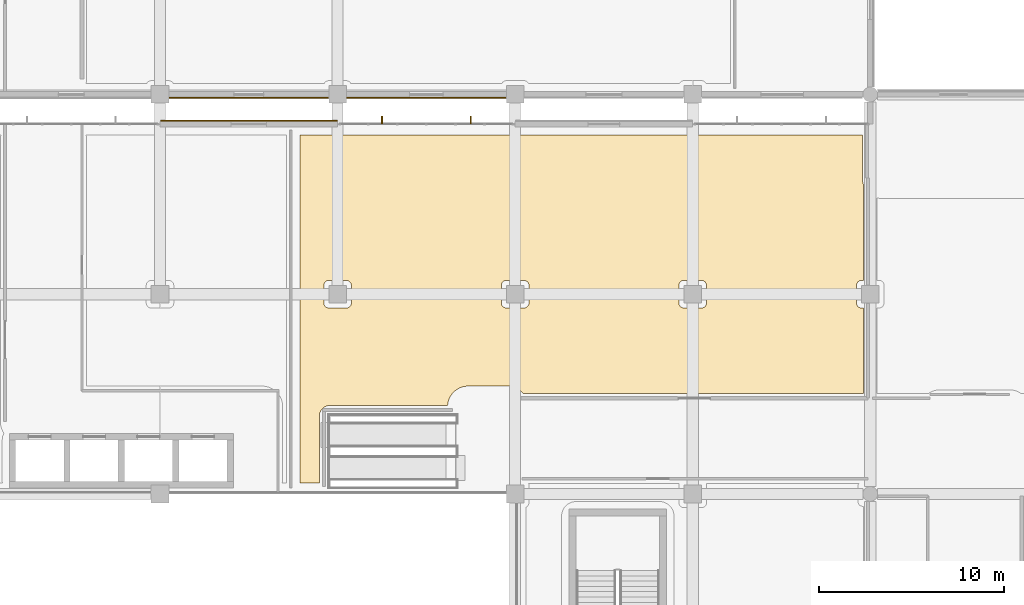
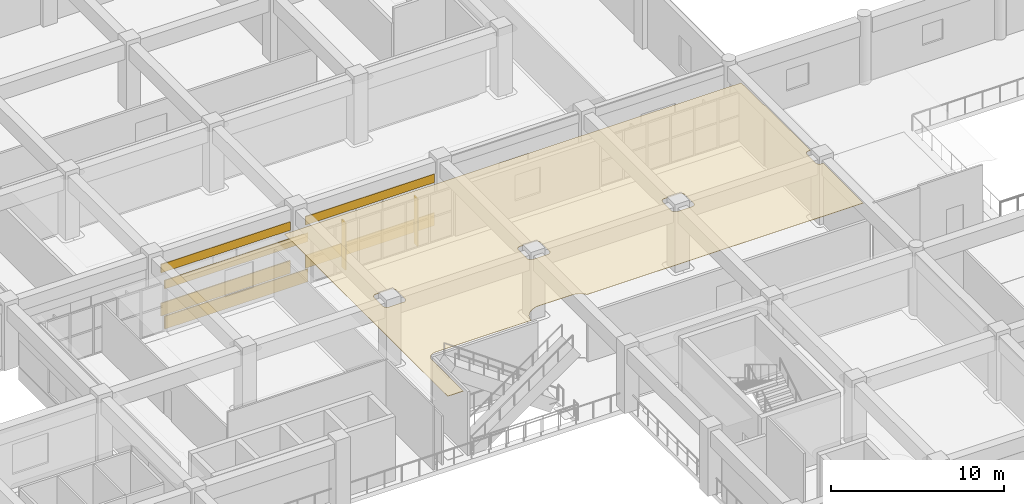
# One storey, part 72 of 86: 7 coverings, 2 shading devices.
"""IFC4 building model written with IfcOpenShell, lengths in metres."""

from ifc_helpers import new_model, si_unit, direction, frame, origin, origin_2d, place, context, subcontext, project, spatial, polyline, rectangle, outline, extrude, material, layer, layer_set, type_object, element, save


model = new_model("IFC4")

# Units and contexts
model_context = context("Model", 3, precision=1e-05, world=origin(), true_north=direction((0.0, 1.0)))
body_context = subcontext(model_context, "Body", "Model", "MODEL_VIEW")
ifc_project = project(units=[si_unit("LENGTHUNIT", "METRE"), si_unit("AREAUNIT", "SQUARE_METRE"), si_unit("VOLUMEUNIT", "CUBIC_METRE"), si_unit("PLANEANGLEUNIT", "RADIAN"), si_unit("MASSUNIT", "GRAM", prefix="KILO")], contexts=[model_context])

# Site, building, storey
site_placement = place(None, origin())
site = spatial("IfcSite", under=ifc_project, at=site_placement, CompositionType="ELEMENT")
building_placement = place(site_placement, origin())
building = spatial("IfcBuilding", under=site, at=building_placement, Name="Cendralis Terraced Arcade", CompositionType="ELEMENT")
storey_placement = place(building_placement, frame((0.0, 0.0, 5.39990234375)))
storey = spatial("IfcBuildingStorey", under=building, at=storey_placement, Name="L01", CompositionType="ELEMENT", Elevation=5.39990234375)

# Coverings
ifc_material_1 = material(Name="Gypsum plasterboard acoustic partition")
ifc_layer_1 = layer(ifc_material_1, 0.02490234375, Name="COV-CEIL-ACOU-25")
ifc_layer_set_1 = layer_set([ifc_layer_1], Name="Gypsum plasterboard acoustic partition")
covering_type_1 = type_object("IfcCoveringType", Name="COV-CEIL-ACOU-25", PredefinedType="CEILING", material=ifc_layer_set_1)
covering_1_placement = place(storey_placement, frame((0.0, 0.0, 4.47998046875)))
element("IfcCovering", 1, at=covering_1_placement, inside=storey, type_object=covering_type_1, Name="Acoustic Soffit Ceiling L01-052", PredefinedType="CEILING", context=body_context, shape_type="SweptSolid", body=[
    extrude(outline(polyline([(36.3701171875, 57.81005859375), (66.77001953125, 57.81005859375), (66.77001953125, 55.47998046875), (66.77001953125, 55.476806640625), (66.77001953125, 55.47412109375), (66.77001953125, 55.470947265625), (66.770263671875, 55.465087890625), (66.7705078125, 55.4619140625), (66.7705078125, 55.458984375), (66.7705078125, 55.4560546875), (66.773681640625, 55.395263671875), (66.77392578125, 55.38916015625), (66.7744140625, 55.38330078125), (66.77490234375, 55.377197265625), (66.776123046875, 55.365478515625), (66.776611328125, 55.359375), (66.777587890625, 55.353515625), (66.7783203125, 55.347412109375), (66.787109375, 55.287109375), (66.7880859375, 55.281005859375), (66.789306640625, 55.275390625), (66.790283203125, 55.269287109375), (66.79248046875, 55.2578125), (66.7939453125, 55.251708984375), (66.795166015625, 55.24609375), (66.796630859375, 55.239990234375), (66.811279296875, 55.180908203125), (66.81298828125, 55.175048828125), (66.814453125, 55.16943359375), (66.816162109375, 55.16357421875), (66.819580078125, 55.152099609375), (66.821533203125, 55.146240234375), (66.8232421875, 55.140625), (66.8251953125, 55.135009765625), (66.830078125, 55.121826171875), (66.830078125, 49.945068359375), (66.72509765625, 49.945068359375), (66.712646484375, 49.944580078125), (66.710693359375, 49.944580078125), (66.686279296875, 49.942138671875), (66.684326171875, 49.94189453125), (66.660400390625, 49.93701171875), (66.658447265625, 49.9365234375), (66.635009765625, 49.929443359375), (66.633056640625, 49.928955078125), (66.610595703125, 49.91943359375), (66.608642578125, 49.918701171875), (66.5869140625, 49.906982421875), (66.58544921875, 49.906005859375), (66.56494140625, 49.892333984375), (66.5634765625, 49.891357421875), (66.54443359375, 49.875732421875), (66.54296875, 49.87451171875), (66.525634765625, 49.85693359375), (66.5244140625, 49.855712890625), (66.5087890625, 49.836669921875), (66.507568359375, 49.8349609375), (66.493896484375, 49.814697265625), (66.492919921875, 49.81298828125), (66.4814453125, 49.791259765625), (66.48046875, 49.78955078125), (66.47119140625, 49.766845703125), (66.470458984375, 49.764892578125), (66.46337890625, 49.74169921875), (66.462890625, 49.739501953125), (66.4580078125, 49.715576171875), (66.457763671875, 49.713623046875), (66.455322265625, 49.689208984375), (66.455322265625, 49.687255859375), (66.455078125, 49.675048828125), (66.455078125, 48.72509765625), (66.455322265625, 48.712646484375), (66.455322265625, 48.710693359375), (66.457763671875, 48.686279296875), (66.4580078125, 48.684326171875), (66.462890625, 48.660400390625), (66.46337890625, 48.658447265625), (66.470458984375, 48.635009765625), (66.47119140625, 48.633056640625), (66.48046875, 48.610595703125), (66.4814453125, 48.608642578125), (66.492919921875, 48.5869140625), (66.493896484375, 48.58544921875), (66.507568359375, 48.56494140625), (66.5087890625, 48.5634765625), (66.5244140625, 48.54443359375), (66.525634765625, 48.54296875), (66.54296875, 48.525634765625), (66.54443359375, 48.5244140625), (66.5634765625, 48.5087890625), (66.56494140625, 48.507568359375), (66.58544921875, 48.493896484375), (66.5869140625, 48.492919921875), (66.608642578125, 48.4814453125), (66.610595703125, 48.48046875), (66.633056640625, 48.47119140625), (66.635009765625, 48.470458984375), (66.658447265625, 48.46337890625), (66.660400390625, 48.462890625), (66.684326171875, 48.4580078125), (66.686279296875, 48.457763671875), (66.710693359375, 48.455322265625), (66.712646484375, 48.455322265625), (66.72509765625, 48.455078125), (66.830078125, 48.455078125), (66.830078125, 43.830078125), (48.433837890625, 43.830078125), (48.430908203125, 43.833251953125), (48.42724609375, 43.837890625), (48.423095703125, 43.84228515625), (48.382080078125, 43.887451171875), (48.378173828125, 43.89208984375), (48.3740234375, 43.896240234375), (48.36962890625, 43.900634765625), (48.361328125, 43.908935546875), (48.35693359375, 43.9130859375), (48.352783203125, 43.917236328125), (48.34814453125, 43.92138671875), (48.302978515625, 43.96240234375), (48.298583984375, 43.96630859375), (48.294189453125, 43.97021484375), (48.289306640625, 43.97412109375), (48.2802734375, 43.981689453125), (48.275390625, 43.985595703125), (48.27099609375, 43.989013671875), (48.26611328125, 43.992919921875), (48.217041015625, 44.029052734375), (48.212158203125, 44.03271484375), (48.207275390625, 44.0361328125), (48.202392578125, 44.03955078125), (48.1923828125, 44.046142578125), (48.187255859375, 44.04931640625), (48.182373046875, 44.052490234375), (48.177001953125, 44.055908203125), (48.125, 44.087158203125), (48.11962890625, 44.090087890625), (48.114501953125, 44.093017578125), (48.109130859375, 44.095947265625), (48.098876953125, 44.1015625), (48.09326171875, 44.1044921875), (48.087890625, 44.107177734375), (48.08251953125, 44.109619140625), (48.027587890625, 44.1357421875), (48.02197265625, 44.13818359375), (48.0166015625, 44.140625), (48.010986328125, 44.14306640625), (48.0, 44.147705078125), (47.994384765625, 44.14990234375), (47.989013671875, 44.152099609375), (47.983154296875, 44.154296875), (47.92578125, 44.1748046875), (47.919921875, 44.1767578125), (47.914306640625, 44.178466796875), (47.90869140625, 44.180419921875), (47.897216796875, 44.183837890625), (47.891357421875, 44.185546875), (47.8857421875, 44.18701171875), (47.8798828125, 44.188720703125), (47.82080078125, 44.203369140625), (47.814697265625, 44.204833984375), (47.80908203125, 44.2060546875), (47.802978515625, 44.20751953125), (47.79150390625, 44.209716796875), (47.785400390625, 44.210693359375), (47.77978515625, 44.2119140625), (47.773681640625, 44.212890625), (47.71337890625, 44.2216796875), (47.70751953125, 44.222412109375), (47.701416015625, 44.223388671875), (47.6953125, 44.223876953125), (47.68359375, 44.22509765625), (47.677490234375, 44.2255859375), (47.671630859375, 44.22607421875), (47.66552734375, 44.226318359375), (47.604736328125, 44.2294921875), (47.601806640625, 44.2294921875), (47.598876953125, 44.2294921875), (47.595703125, 44.229736328125), (47.58984375, 44.22998046875), (47.5869140625, 44.22998046875), (47.583740234375, 44.22998046875), (47.580810546875, 44.22998046875), (45.458984375, 44.22998046875), (45.455810546875, 44.22998046875), (45.452880859375, 44.22998046875), (45.449951171875, 44.22998046875), (45.444091796875, 44.229736328125), (45.44091796875, 44.2294921875), (45.43798828125, 44.2294921875), (45.434814453125, 44.2294921875), (45.3740234375, 44.226318359375), (45.367919921875, 44.22607421875), (45.362060546875, 44.2255859375), (45.35595703125, 44.22509765625), (45.34423828125, 44.223876953125), (45.338134765625, 44.223388671875), (45.33251953125, 44.222412109375), (45.326416015625, 44.2216796875), (45.26611328125, 44.212890625), (45.260009765625, 44.2119140625), (45.254150390625, 44.210693359375), (45.248291015625, 44.209716796875), (45.236572265625, 44.20751953125), (45.230712890625, 44.2060546875), (45.224853515625, 44.204833984375), (45.218994140625, 44.203369140625), (45.159912109375, 44.188720703125), (45.154052734375, 44.18701171875), (45.148193359375, 44.185546875), (45.142333984375, 44.183837890625), (45.131103515625, 44.180419921875), (45.125244140625, 44.178466796875), (45.11962890625, 44.1767578125), (45.114013671875, 44.1748046875), (45.056640625, 44.154296875), (45.05078125, 44.152099609375), (45.04541015625, 44.14990234375), (45.039794921875, 44.147705078125), (45.02880859375, 44.14306640625), (45.023193359375, 44.140625), (45.017822265625, 44.13818359375), (45.01220703125, 44.1357421875), (44.957275390625, 44.109619140625), (44.95166015625, 44.107177734375), (44.9462890625, 44.1044921875), (44.94091796875, 44.1015625), (44.9306640625, 44.095947265625), (44.92529296875, 44.093017578125), (44.920166015625, 44.090087890625), (44.914794921875, 44.087158203125), (44.862548828125, 44.055908203125), (44.857421875, 44.052490234375), (44.852294921875, 44.04931640625), (44.84716796875, 44.046142578125), (44.83740234375, 44.03955078125), (44.83251953125, 44.0361328125), (44.82763671875, 44.03271484375), (44.822509765625, 44.029052734375), (44.773681640625, 43.992919921875), (44.768798828125, 43.989013671875), (44.76416015625, 43.985595703125), (44.759521484375, 43.981689453125), (44.750244140625, 43.97412109375), (44.74560546875, 43.97021484375), (44.7412109375, 43.96630859375), (44.736572265625, 43.96240234375), (44.69140625, 43.92138671875), (44.68701171875, 43.917236328125), (44.6826171875, 43.9130859375), (44.67822265625, 43.908935546875), (44.669921875, 43.900634765625), (44.665771484375, 43.896240234375), (44.66162109375, 43.89208984375), (44.657470703125, 43.887451171875), (44.61669921875, 43.84228515625), (44.612548828125, 43.837890625), (44.608642578125, 43.833251953125), (44.604736328125, 43.82861328125), (44.597412109375, 43.819580078125), (44.593505859375, 43.814697265625), (44.58984375, 43.81005859375), (44.586181640625, 43.80517578125), (44.5498046875, 43.75634765625), (44.54638671875, 43.75146484375), (44.54296875, 43.74658203125), (44.539306640625, 43.741455078125), (44.532958984375, 43.731689453125), (44.529541015625, 43.7265625), (44.5263671875, 43.7216796875), (44.523193359375, 43.71630859375), (44.491943359375, 43.664306640625), (44.48876953125, 43.658935546875), (44.48583984375, 43.65380859375), (44.48291015625, 43.6484375), (44.477294921875, 43.637939453125), (44.474609375, 43.632568359375), (44.471923828125, 43.627197265625), (44.46923828125, 43.621826171875), (44.443115234375, 43.56689453125), (44.440673828125, 43.561279296875), (44.438232421875, 43.555908203125), (44.435791015625, 43.55029296875), (44.431396484375, 43.539306640625), (44.428955078125, 43.53369140625), (44.427001953125, 43.528076171875), (44.4248046875, 43.522216796875), (44.404296875, 43.465087890625), (44.40234375, 43.459228515625), (44.400390625, 43.45361328125), (44.398681640625, 43.44775390625), (44.395263671875, 43.4365234375), (44.3935546875, 43.4306640625), (44.391845703125, 43.425048828125), (44.390380859375, 43.4189453125), (44.37548828125, 43.360107421875), (44.3740234375, 43.35400390625), (44.372802734375, 43.348388671875), (44.37158203125, 43.34228515625), (44.369384765625, 43.330810546875), (44.3681640625, 43.32470703125), (44.3671875, 43.31884765625), (44.3662109375, 43.31298828125), (44.357177734375, 43.252685546875), (44.3564453125, 43.24658203125), (44.355712890625, 43.24072265625), (44.35498046875, 43.234619140625), (44.35400390625, 43.222900390625), (44.353271484375, 43.216796875), (44.352783203125, 43.2109375), (44.3525390625, 43.204833984375), (44.351806640625, 43.190673828125), (38.0, 43.18994140625), (37.993896484375, 43.18994140625), (37.988037109375, 43.189697265625), (37.981689453125, 43.189697265625), (37.960205078125, 43.1884765625), (37.947998046875, 43.1875), (37.936279296875, 43.186279296875), (37.924072265625, 43.184814453125), (37.90283203125, 43.181884765625), (37.890625, 43.1796875), (37.879150390625, 43.177490234375), (37.8671875, 43.1748046875), (37.84619140625, 43.16943359375), (37.83447265625, 43.166259765625), (37.822998046875, 43.16259765625), (37.8115234375, 43.158935546875), (37.791259765625, 43.151611328125), (37.77978515625, 43.147216796875), (37.768798828125, 43.142578125), (37.757568359375, 43.1376953125), (37.738037109375, 43.12841796875), (37.72705078125, 43.123046875), (37.716796875, 43.117431640625), (37.7060546875, 43.111328125), (37.6875, 43.100341796875), (37.67724609375, 43.09375), (37.66748046875, 43.087158203125), (37.657470703125, 43.080078125), (37.639892578125, 43.067138671875), (37.63037109375, 43.059814453125), (37.62109375, 43.05224609375), (37.612060546875, 43.044189453125), (37.595947265625, 43.02978515625), (37.587158203125, 43.021240234375), (37.57861328125, 43.012939453125), (37.5703125, 43.00390625), (37.555908203125, 42.988037109375), (37.5478515625, 42.978759765625), (37.540283203125, 42.969482421875), (37.53271484375, 42.9599609375), (37.52001953125, 42.942626953125), (37.5126953125, 42.9326171875), (37.50634765625, 42.9228515625), (37.499755859375, 42.912353515625), (37.488525390625, 42.893798828125), (37.482666015625, 42.88330078125), (37.47705078125, 42.872802734375), (37.471435546875, 42.86181640625), (37.46240234375, 42.84228515625), (37.457275390625, 42.831298828125), (37.452880859375, 42.8203125), (37.448486328125, 42.808837890625), (37.441162109375, 42.78857421875), (37.437255859375, 42.77685546875), (37.433837890625, 42.765625), (37.4306640625, 42.75390625), (37.42529296875, 42.73291015625), (37.422607421875, 42.720947265625), (37.42041015625, 42.709228515625), (37.418212890625, 42.697265625), (37.4150390625, 42.67578125), (37.41357421875, 42.663818359375), (37.412353515625, 42.652099609375), (37.41162109375, 42.6396484375), (37.410400390625, 42.6181640625), (37.41015625, 42.612060546875), (37.41015625, 42.606201171875), (37.409912109375, 42.60009765625), (37.409912109375, 38.989990234375), (36.3701171875, 38.989990234375), (36.3701171875, 57.81005859375)]), holes=[polyline([(57.0087890625, 48.4814453125), (57.010498046875, 48.48046875), (57.033203125, 48.47119140625), (57.034912109375, 48.470458984375), (57.058349609375, 48.46337890625), (57.060302734375, 48.462890625), (57.08447265625, 48.4580078125), (57.08642578125, 48.457763671875), (57.11083984375, 48.455322265625), (57.11279296875, 48.455322265625), (57.125, 48.455078125), (58.074951171875, 48.455078125), (58.08740234375, 48.455322265625), (58.089111328125, 48.455322265625), (58.113525390625, 48.457763671875), (58.115478515625, 48.4580078125), (58.1396484375, 48.462890625), (58.1416015625, 48.46337890625), (58.1650390625, 48.470458984375), (58.1669921875, 48.47119140625), (58.189453125, 48.48046875), (58.19140625, 48.4814453125), (58.212890625, 48.492919921875), (58.214599609375, 48.493896484375), (58.235107421875, 48.507568359375), (58.236572265625, 48.5087890625), (58.255615234375, 48.5244140625), (58.257080078125, 48.525634765625), (58.2744140625, 48.54296875), (58.275634765625, 48.54443359375), (58.291259765625, 48.5634765625), (58.29248046875, 48.56494140625), (58.30615234375, 48.58544921875), (58.30712890625, 48.5869140625), (58.318603515625, 48.608642578125), (58.319580078125, 48.610595703125), (58.328857421875, 48.633056640625), (58.32958984375, 48.635009765625), (58.336669921875, 48.658447265625), (58.337158203125, 48.660400390625), (58.341796875, 48.684326171875), (58.34228515625, 48.686279296875), (58.344482421875, 48.710693359375), (58.3447265625, 48.712646484375), (58.344970703125, 48.72509765625), (58.344970703125, 49.675048828125), (58.3447265625, 49.687255859375), (58.344482421875, 49.689208984375), (58.34228515625, 49.713623046875), (58.341796875, 49.715576171875), (58.337158203125, 49.739501953125), (58.336669921875, 49.74169921875), (58.32958984375, 49.764892578125), (58.328857421875, 49.766845703125), (58.319580078125, 49.78955078125), (58.318603515625, 49.791259765625), (58.30712890625, 49.81298828125), (58.30615234375, 49.814697265625), (58.29248046875, 49.8349609375), (58.291259765625, 49.836669921875), (58.275634765625, 49.855712890625), (58.2744140625, 49.85693359375), (58.257080078125, 49.87451171875), (58.255615234375, 49.875732421875), (58.236572265625, 49.891357421875), (58.235107421875, 49.892333984375), (58.214599609375, 49.906005859375), (58.212890625, 49.906982421875), (58.19140625, 49.918701171875), (58.189453125, 49.91943359375), (58.1669921875, 49.928955078125), (58.1650390625, 49.929443359375), (58.1416015625, 49.9365234375), (58.1396484375, 49.93701171875), (58.115478515625, 49.94189453125), (58.113525390625, 49.942138671875), (58.089111328125, 49.944580078125), (58.08740234375, 49.944580078125), (58.074951171875, 49.945068359375), (57.125, 49.945068359375), (57.11279296875, 49.944580078125), (57.11083984375, 49.944580078125), (57.08642578125, 49.942138671875), (57.08447265625, 49.94189453125), (57.060302734375, 49.93701171875), (57.058349609375, 49.9365234375), (57.034912109375, 49.929443359375), (57.033203125, 49.928955078125), (57.010498046875, 49.91943359375), (57.0087890625, 49.918701171875), (56.987060546875, 49.906982421875), (56.9853515625, 49.906005859375), (56.965087890625, 49.892333984375), (56.96337890625, 49.891357421875), (56.9443359375, 49.875732421875), (56.943115234375, 49.87451171875), (56.925537109375, 49.85693359375), (56.92431640625, 49.855712890625), (56.90869140625, 49.836669921875), (56.90771484375, 49.8349609375), (56.893798828125, 49.814697265625), (56.892822265625, 49.81298828125), (56.88134765625, 49.791259765625), (56.880615234375, 49.78955078125), (56.87109375, 49.766845703125), (56.87060546875, 49.764892578125), (56.86328125, 49.74169921875), (56.86279296875, 49.739501953125), (56.858154296875, 49.715576171875), (56.85791015625, 49.713623046875), (56.85546875, 49.689208984375), (56.855224609375, 49.687255859375), (56.85498046875, 49.675048828125), (56.85498046875, 48.72509765625), (56.855224609375, 48.712646484375), (56.85546875, 48.710693359375), (56.85791015625, 48.686279296875), (56.858154296875, 48.684326171875), (56.86279296875, 48.660400390625), (56.86328125, 48.658447265625), (56.87060546875, 48.635009765625), (56.87109375, 48.633056640625), (56.880615234375, 48.610595703125), (56.88134765625, 48.608642578125), (56.892822265625, 48.5869140625), (56.893798828125, 48.58544921875), (56.90771484375, 48.56494140625), (56.90869140625, 48.5634765625), (56.92431640625, 48.54443359375), (56.925537109375, 48.54296875), (56.943115234375, 48.525634765625), (56.9443359375, 48.5244140625), (56.96337890625, 48.5087890625), (56.965087890625, 48.507568359375), (56.9853515625, 48.493896484375), (56.987060546875, 48.492919921875), (57.0087890625, 48.4814453125)]), polyline([(47.40869140625, 48.4814453125), (47.410400390625, 48.48046875), (47.43310546875, 48.47119140625), (47.43505859375, 48.470458984375), (47.45849609375, 48.46337890625), (47.46044921875, 48.462890625), (47.484375, 48.4580078125), (47.486328125, 48.457763671875), (47.5107421875, 48.455322265625), (47.5126953125, 48.455322265625), (47.52490234375, 48.455078125), (48.47509765625, 48.455078125), (48.4873046875, 48.455322265625), (48.4892578125, 48.455322265625), (48.513671875, 48.457763671875), (48.515625, 48.4580078125), (48.53955078125, 48.462890625), (48.54150390625, 48.46337890625), (48.56494140625, 48.470458984375), (48.56689453125, 48.47119140625), (48.589599609375, 48.48046875), (48.59130859375, 48.4814453125), (48.613037109375, 48.492919921875), (48.614501953125, 48.493896484375), (48.635009765625, 48.507568359375), (48.63671875, 48.5087890625), (48.655517578125, 48.5244140625), (48.656982421875, 48.525634765625), (48.67431640625, 48.54296875), (48.67578125, 48.54443359375), (48.69140625, 48.5634765625), (48.6923828125, 48.56494140625), (48.7060546875, 48.58544921875), (48.70703125, 48.5869140625), (48.718505859375, 48.608642578125), (48.719482421875, 48.610595703125), (48.72900390625, 48.633056640625), (48.7294921875, 48.635009765625), (48.736572265625, 48.658447265625), (48.737060546875, 48.660400390625), (48.741943359375, 48.684326171875), (48.7421875, 48.686279296875), (48.74462890625, 48.710693359375), (48.74462890625, 48.712646484375), (48.7451171875, 48.72509765625), (48.7451171875, 49.675048828125), (48.74462890625, 49.687255859375), (48.74462890625, 49.689208984375), (48.7421875, 49.713623046875), (48.741943359375, 49.715576171875), (48.737060546875, 49.739501953125), (48.736572265625, 49.74169921875), (48.7294921875, 49.764892578125), (48.72900390625, 49.766845703125), (48.719482421875, 49.78955078125), (48.718505859375, 49.791259765625), (48.70703125, 49.81298828125), (48.7060546875, 49.814697265625), (48.6923828125, 49.8349609375), (48.69140625, 49.836669921875), (48.67578125, 49.855712890625), (48.67431640625, 49.85693359375), (48.656982421875, 49.87451171875), (48.655517578125, 49.875732421875), (48.63671875, 49.891357421875), (48.635009765625, 49.892333984375), (48.614501953125, 49.906005859375), (48.613037109375, 49.906982421875), (48.59130859375, 49.918701171875), (48.589599609375, 49.91943359375), (48.56689453125, 49.928955078125), (48.56494140625, 49.929443359375), (48.54150390625, 49.9365234375), (48.53955078125, 49.93701171875), (48.515625, 49.94189453125), (48.513671875, 49.942138671875), (48.4892578125, 49.944580078125), (48.4873046875, 49.944580078125), (48.47509765625, 49.945068359375), (47.52490234375, 49.945068359375), (47.5126953125, 49.944580078125), (47.5107421875, 49.944580078125), (47.486328125, 49.942138671875), (47.484375, 49.94189453125), (47.46044921875, 49.93701171875), (47.45849609375, 49.9365234375), (47.43505859375, 49.929443359375), (47.43310546875, 49.928955078125), (47.410400390625, 49.91943359375), (47.40869140625, 49.918701171875), (47.386962890625, 49.906982421875), (47.385498046875, 49.906005859375), (47.364990234375, 49.892333984375), (47.36328125, 49.891357421875), (47.344482421875, 49.875732421875), (47.343017578125, 49.87451171875), (47.32568359375, 49.85693359375), (47.32421875, 49.855712890625), (47.30859375, 49.836669921875), (47.3076171875, 49.8349609375), (47.2939453125, 49.814697265625), (47.29296875, 49.81298828125), (47.281494140625, 49.791259765625), (47.280517578125, 49.78955078125), (47.27099609375, 49.766845703125), (47.2705078125, 49.764892578125), (47.263427734375, 49.74169921875), (47.262939453125, 49.739501953125), (47.258056640625, 49.715576171875), (47.2578125, 49.713623046875), (47.25537109375, 49.689208984375), (47.25537109375, 49.687255859375), (47.2548828125, 49.675048828125), (47.2548828125, 48.72509765625), (47.25537109375, 48.712646484375), (47.25537109375, 48.710693359375), (47.2578125, 48.686279296875), (47.258056640625, 48.684326171875), (47.262939453125, 48.660400390625), (47.263427734375, 48.658447265625), (47.2705078125, 48.635009765625), (47.27099609375, 48.633056640625), (47.280517578125, 48.610595703125), (47.281494140625, 48.608642578125), (47.29296875, 48.5869140625), (47.2939453125, 48.58544921875), (47.3076171875, 48.56494140625), (47.30859375, 48.5634765625), (47.32421875, 48.54443359375), (47.32568359375, 48.54296875), (47.343017578125, 48.525634765625), (47.344482421875, 48.5244140625), (47.36328125, 48.5087890625), (47.364990234375, 48.507568359375), (47.385498046875, 48.493896484375), (47.386962890625, 48.492919921875), (47.40869140625, 48.4814453125)]), polyline([(37.80859375, 48.4814453125), (37.810546875, 48.48046875), (37.8330078125, 48.47119140625), (37.8349609375, 48.470458984375), (37.8583984375, 48.46337890625), (37.8603515625, 48.462890625), (37.884521484375, 48.4580078125), (37.886474609375, 48.457763671875), (37.910888671875, 48.455322265625), (37.91259765625, 48.455322265625), (37.925048828125, 48.455078125), (38.875, 48.455078125), (38.88720703125, 48.455322265625), (38.88916015625, 48.455322265625), (38.91357421875, 48.457763671875), (38.91552734375, 48.4580078125), (38.939697265625, 48.462890625), (38.941650390625, 48.46337890625), (38.965087890625, 48.470458984375), (38.966796875, 48.47119140625), (38.989501953125, 48.48046875), (38.9912109375, 48.4814453125), (39.012939453125, 48.492919921875), (39.0146484375, 48.493896484375), (39.034912109375, 48.507568359375), (39.03662109375, 48.5087890625), (39.0556640625, 48.5244140625), (39.056884765625, 48.525634765625), (39.074462890625, 48.54296875), (39.07568359375, 48.54443359375), (39.09130859375, 48.5634765625), (39.09228515625, 48.56494140625), (39.106201171875, 48.58544921875), (39.107177734375, 48.5869140625), (39.11865234375, 48.608642578125), (39.119384765625, 48.610595703125), (39.12890625, 48.633056640625), (39.12939453125, 48.635009765625), (39.13671875, 48.658447265625), (39.13720703125, 48.660400390625), (39.141845703125, 48.684326171875), (39.14208984375, 48.686279296875), (39.14453125, 48.710693359375), (39.144775390625, 48.712646484375), (39.14501953125, 48.72509765625), (39.14501953125, 49.675048828125), (39.144775390625, 49.687255859375), (39.14453125, 49.689208984375), (39.14208984375, 49.713623046875), (39.141845703125, 49.715576171875), (39.13720703125, 49.739501953125), (39.13671875, 49.74169921875), (39.12939453125, 49.764892578125), (39.12890625, 49.766845703125), (39.119384765625, 49.78955078125), (39.11865234375, 49.791259765625), (39.107177734375, 49.81298828125), (39.106201171875, 49.814697265625), (39.09228515625, 49.8349609375), (39.09130859375, 49.836669921875), (39.07568359375, 49.855712890625), (39.074462890625, 49.85693359375), (39.056884765625, 49.87451171875), (39.0556640625, 49.875732421875), (39.03662109375, 49.891357421875), (39.034912109375, 49.892333984375), (39.0146484375, 49.906005859375), (39.012939453125, 49.906982421875), (38.9912109375, 49.918701171875), (38.989501953125, 49.91943359375), (38.966796875, 49.928955078125), (38.965087890625, 49.929443359375), (38.941650390625, 49.9365234375), (38.939697265625, 49.93701171875), (38.91552734375, 49.94189453125), (38.91357421875, 49.942138671875), (38.88916015625, 49.944580078125), (38.88720703125, 49.944580078125), (38.875, 49.945068359375), (37.925048828125, 49.945068359375), (37.91259765625, 49.944580078125), (37.910888671875, 49.944580078125), (37.886474609375, 49.942138671875), (37.884521484375, 49.94189453125), (37.8603515625, 49.93701171875), (37.8583984375, 49.9365234375), (37.8349609375, 49.929443359375), (37.8330078125, 49.928955078125), (37.810546875, 49.91943359375), (37.80859375, 49.918701171875), (37.787109375, 49.906982421875), (37.785400390625, 49.906005859375), (37.764892578125, 49.892333984375), (37.763427734375, 49.891357421875), (37.744384765625, 49.875732421875), (37.742919921875, 49.87451171875), (37.7255859375, 49.85693359375), (37.724365234375, 49.855712890625), (37.708740234375, 49.836669921875), (37.70751953125, 49.8349609375), (37.69384765625, 49.814697265625), (37.69287109375, 49.81298828125), (37.681396484375, 49.791259765625), (37.680419921875, 49.78955078125), (37.671142578125, 49.766845703125), (37.67041015625, 49.764892578125), (37.663330078125, 49.74169921875), (37.662841796875, 49.739501953125), (37.658203125, 49.715576171875), (37.65771484375, 49.713623046875), (37.655517578125, 49.689208984375), (37.6552734375, 49.687255859375), (37.655029296875, 49.675048828125), (37.655029296875, 48.72509765625), (37.6552734375, 48.712646484375), (37.655517578125, 48.710693359375), (37.65771484375, 48.686279296875), (37.658203125, 48.684326171875), (37.662841796875, 48.660400390625), (37.663330078125, 48.658447265625), (37.67041015625, 48.635009765625), (37.671142578125, 48.633056640625), (37.680419921875, 48.610595703125), (37.681396484375, 48.608642578125), (37.69287109375, 48.5869140625), (37.69384765625, 48.58544921875), (37.70751953125, 48.56494140625), (37.708740234375, 48.5634765625), (37.724365234375, 48.54443359375), (37.7255859375, 48.54296875), (37.742919921875, 48.525634765625), (37.744384765625, 48.5244140625), (37.763427734375, 48.5087890625), (37.764892578125, 48.507568359375), (37.785400390625, 48.493896484375), (37.787109375, 48.492919921875), (37.80859375, 48.4814453125)])]), origin(), (0.0, 0.0, 1.0), 0.025146484375),
])
ifc_material_2 = material(Name="Precast concrete f'c 40 MPa", Category="concrete")
ifc_layer_2 = layer(ifc_material_2, 0.06494140625, Name="COV-CLAD-GRC-65")
ifc_layer_set_2 = layer_set([ifc_layer_2], Name="Precast concrete f'c 40 MPa")
covering_type_2 = type_object("IfcCoveringType", Name="COV-CLAD-GRC-65", PredefinedType="CLADDING", material=ifc_layer_set_2)
covering_2_placement = place(storey_placement, frame((43.199951171875, 59.820068359375, 0.000244140625), z_axis=(0.0, 0.0, 1.0), x_axis=(-1.0, 0.0, 0.0)))
element("IfcCovering", 2, at=covering_2_placement, inside=storey, type_object=covering_type_2, Name="Banded Precast Stone Spandrel Cladding L01-113", PredefinedType="CLADDING", context=body_context, shape_type="SweptSolid", body=[
    extrude(rectangle(XDim=8.593994140625, YDim=0.06494140625, at=origin_2d()), origin(), (0.0, 0.0, 1.0), 0.89990234375),
])
covering_3_placement = place(storey_placement, frame((43.199951171875, 59.820068359375, 3.03515625), z_axis=(0.0, 0.0, 1.0), x_axis=(-1.0, 0.0, 0.0)))
element("IfcCovering", 3, at=covering_3_placement, inside=storey, type_object=covering_type_2, Name="Banded Precast Stone Lintel Cladding L01-114", PredefinedType="CLADDING", context=body_context, shape_type="SweptSolid", body=[
    extrude(rectangle(XDim=8.593994140625, YDim=0.06494140625, at=origin_2d()), origin(), (0.0, 0.0, 1.0), 0.60009765625),
])
covering_4_placement = place(storey_placement, frame((33.60009765625, 59.820068359375, 0.000244140625), z_axis=(0.0, 0.0, 1.0), x_axis=(-1.0, 0.0, 0.0)))
element("IfcCovering", 4, at=covering_4_placement, inside=storey, type_object=covering_type_2, Name="Banded Precast Stone Spandrel Cladding L01-115", PredefinedType="CLADDING", context=body_context, shape_type="SweptSolid", body=[
    extrude(rectangle(XDim=8.593994140625, YDim=0.06494140625, at=origin_2d()), origin(), (0.0, 0.0, 1.0), 0.89990234375),
])
covering_5_placement = place(storey_placement, frame((33.60009765625, 59.820068359375, 3.03515625), z_axis=(0.0, 0.0, 1.0), x_axis=(-1.0, 0.0, 0.0)))
element("IfcCovering", 5, at=covering_5_placement, inside=storey, type_object=covering_type_2, Name="Banded Precast Stone Lintel Cladding L01-116", PredefinedType="CLADDING", context=body_context, shape_type="SweptSolid", body=[
    extrude(rectangle(XDim=8.593994140625, YDim=0.06494140625, at=origin_2d()), origin(), (0.0, 0.0, 1.0), 0.60009765625),
])
covering_6_placement = place(storey_placement, frame((33.60009765625, 58.580078125, 0.000244140625), z_axis=(0.0, 0.0, 1.0), x_axis=(1.0, 0.0, 0.0)))
element("IfcCovering", 6, at=covering_6_placement, inside=storey, type_object=covering_type_2, Name="Banded Precast Stone Spandrel Cladding L01-191", PredefinedType="CLADDING", context=body_context, shape_type="SweptSolid", body=[
    extrude(rectangle(XDim=9.5400390625, YDim=0.06494140625, at=origin_2d()), origin(), (0.0, 0.0, 1.0), 0.89990234375),
])
covering_7_placement = place(storey_placement, frame((33.60009765625, 58.580078125, 2.824951171875), z_axis=(0.0, 0.0, 1.0), x_axis=(1.0, 0.0, 0.0)))
element("IfcCovering", 7, at=covering_7_placement, inside=storey, type_object=covering_type_2, Name="Banded Precast Stone Lintel Cladding L01-192", PredefinedType="CLADDING", context=body_context, shape_type="SweptSolid", body=[
    extrude(rectangle(XDim=9.5400390625, YDim=0.06494140625, at=origin_2d()), origin(), (0.0, 0.0, 1.0), 0.60009765625),
])

# Shading devices
ifc_material_3 = material(Name="Anodised aluminium EN AW-6063 T6", Category="aluminium")
shading_device_type = type_object("IfcShadingDeviceType", Name="SHD-FIN-420", PredefinedType="USERDEFINED", material=ifc_material_3)
for number, where, z_axis, x_axis, name in (
    (8, (40.800048828125, 58.614990234375, 0.05029296875), (0.0, 0.0, 1.0), (1.0, 0.0, 0.0), "Parametric Vertical Solar Fin FIN-L01-035"),
    (9, (45.60009765625, 58.614990234375, 0.05029296875), (0.0, 0.0, 1.0), (1.0, 0.0, 0.0), "Parametric Vertical Solar Fin FIN-L01-036"),
):
    element("IfcShadingDevice", number, at=place(storey_placement, frame(where, z_axis=z_axis, x_axis=x_axis)), inside=storey, type_object=shading_device_type, Name=name, ObjectType="FIN", PredefinedType="USERDEFINED", context=body_context, shape_type="SweptSolid", body=[
        extrude(rectangle(XDim=0.074951171875, YDim=0.419921875, at=origin_2d()), origin(), (0.0, 0.0, 1.0), 3.344970703125),
    ])

save(model, "model.ifc")
